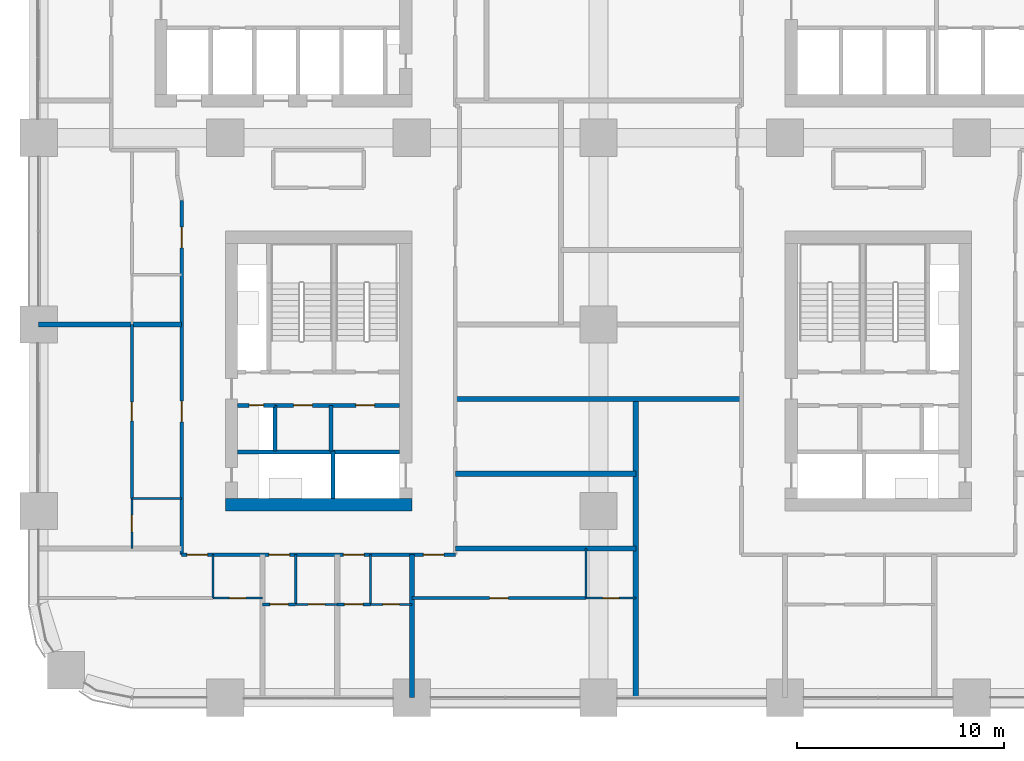
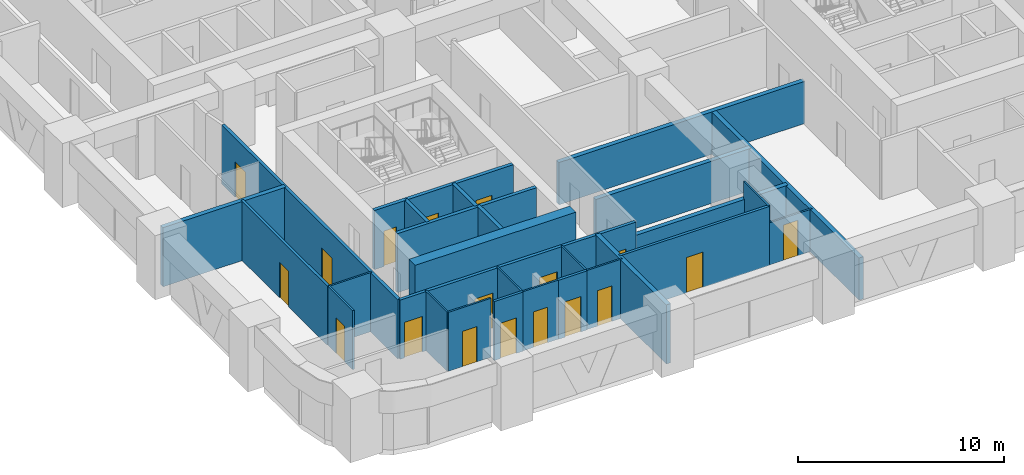
# One storey, part 13 of 21: 29 walls, 18 doors, 18 openings.
"""IFC4 building model written with IfcOpenShell, lengths in metres."""

import ifcopenshell
import ifcopenshell.guid

model = None  # the IFC model being written
_history = None  # IfcOwnerHistory: only IFC2X3 demands one
_inside = {}  # id of a spatial element -> (the spatial element, [elements in it])
_under = {}  # id of a project, library or spatial element -> (it, [spatial elements below it])
_declared = {}  # id of a project -> (the project, [libraries it declares])
_typed = {}  # id of a type object -> (the type object, [elements of that type])
_made_of = {}  # id of a material, layer set ... -> (it, [elements and type objects made of it])


def new_model(schema):
    """Start an empty IFC model of exactly this schema.

    Asked for "IFC4X3", IfcOpenShell would pick the latest addendum, in which some entities
    have other attributes; the version numbers below select the first issue.
    IFC2X3 requires an IfcOwnerHistory on every rooted entity: one is made here for all.
    """
    global model, _history
    if schema == "IFC4X3":
        model = ifcopenshell.file(schema_version=(4, 3, 0, 0))
    else:
        model = ifcopenshell.file(schema=schema)
    _inside.clear()
    _under.clear()
    _declared.clear()
    _typed.clear()
    _made_of.clear()
    _history = None
    if model.schema == "IFC2X3":
        org = make("IfcOrganization", Name="unknown")
        user = make(
            "IfcPersonAndOrganization",
            ThePerson=make("IfcPerson", FamilyName="unknown"),
            TheOrganization=org,
        )
        app = make(
            "IfcApplication",
            ApplicationDeveloper=org,
            Version="unknown",
            ApplicationFullName="unknown",
            ApplicationIdentifier="unknown",
        )
        _history = make(
            "IfcOwnerHistory",
            OwningUser=user,
            OwningApplication=app,
            ChangeAction="ADDED",
            CreationDate=0,
        )
    return model


def make(cls, **values):
    """One entity of the class cls with the attributes given. An attribute that is None is left unset."""
    return model.create_entity(
        cls, **{name: value for name, value in values.items() if value is not None}
    )


def rooted(cls, **values):
    """An entity with a GlobalId (a new one), such as an element, a storey or a relation."""
    return make(cls, GlobalId=ifcopenshell.guid.new(), OwnerHistory=_history, **values)


def si_unit(unit_type, name, prefix=None):
    """IfcSIUnit, for example si_unit("LENGTHUNIT", "METRE", prefix="MILLI")."""
    return make("IfcSIUnit", UnitType=unit_type, Prefix=prefix, Name=name)


def assignment(units):
    """IfcUnitAssignment: the units of a project."""
    return None if units is None else make("IfcUnitAssignment", Units=units)


def point(xyz):
    """IfcCartesianPoint."""
    return None if xyz is None else make("IfcCartesianPoint", Coordinates=xyz)


def direction(xyz):
    """IfcDirection."""
    return None if xyz is None else make("IfcDirection", DirectionRatios=xyz)


def frame(location, z_axis=None, x_axis=None):
    """IfcAxis2Placement3D, a coordinate frame: its origin and axes. An axis left out is left unset."""
    return make(
        "IfcAxis2Placement3D",
        Location=point(location),
        Axis=direction(z_axis),
        RefDirection=direction(x_axis),
    )


def frame_2d(location, x_axis=None):
    """IfcAxis2Placement2D, a coordinate frame in the plane: its origin and x axis."""
    return make(
        "IfcAxis2Placement2D", Location=point(location), RefDirection=direction(x_axis)
    )


def origin():
    """The frame at (0, 0, 0) with its axes left unset."""
    return frame((0.0, 0.0, 0.0))


def place(relative_to, where):
    """IfcLocalPlacement: puts the frame where relative to a parent placement (None: the world)."""
    return make(
        "IfcLocalPlacement", PlacementRelTo=relative_to, RelativePlacement=where
    )


def context(
    kind, dimensions, precision=None, world=None, true_north=None, identifier=None
):
    """IfcGeometricRepresentationContext, for example the 3D "Model" context."""
    return make(
        "IfcGeometricRepresentationContext",
        ContextIdentifier=identifier,
        ContextType=kind,
        CoordinateSpaceDimension=dimensions,
        Precision=precision,
        WorldCoordinateSystem=world,
        TrueNorth=true_north,
    )


def subcontext(parent, identifier, kind, view, scale=None):
    """IfcGeometricRepresentationSubContext, for example "Body" below "Model"."""
    return make(
        "IfcGeometricRepresentationSubContext",
        ContextIdentifier=identifier,
        ContextType=kind,
        ParentContext=parent,
        TargetScale=scale,
        TargetView=view,
    )


def project(units=None, contexts=None):
    """IfcProject with its units and contexts."""
    return rooted(
        "IfcProject",
        Name="project",
        RepresentationContexts=contexts,
        UnitsInContext=assignment(units),
    )


def spatial(cls, under=None, at=None, **own):
    """A site, building, storey or space (cls), placed at a placement, below another one or the project."""
    s = rooted(cls, ObjectPlacement=at, **own)
    if under is not None:
        _under.setdefault(under.id(), (under, []))[1].append(s)
    return s


def profile(cls, at=None, kind="AREA", **sizes):
    """A parametric profile (cls). Its sizes go by their IFC names, for example OverallWidth=200.0."""
    return make(cls, ProfileType=kind, Position=at, **sizes)


def rectangle(**sizes):
    """IfcRectangleProfileDef."""
    return profile("IfcRectangleProfileDef", **sizes)


def extrude(swept, where, along, depth):
    """IfcExtrudedAreaSolid: the profile swept, set in the frame where, extruded along a direction by depth."""
    return make(
        "IfcExtrudedAreaSolid",
        SweptArea=swept,
        Position=where,
        ExtrudedDirection=direction(along),
        Depth=depth,
    )


def shape(context_of_items, identifier, shape_type, items):
    """IfcShapeRepresentation: the items that make up one representation, for example the "Body"."""
    return make(
        "IfcShapeRepresentation",
        ContextOfItems=context_of_items,
        RepresentationIdentifier=identifier,
        RepresentationType=shape_type,
        Items=items,
    )


def material(Name=None, Category=None):
    """IfcMaterial."""
    return make("IfcMaterial", Name=Name, Category=Category)


def layer(
    of_material, thickness, ventilated=None, Name=None, Category=None, Priority=None
):
    """IfcMaterialLayer: one layer of a wall or slab, of a material (None: an air gap)."""
    return make(
        "IfcMaterialLayer",
        Material=of_material,
        LayerThickness=thickness,
        IsVentilated=ventilated,
        Name=Name,
        Category=Category,
        Priority=Priority,
    )


def layer_set(layers, Name=None):
    """IfcMaterialLayerSet."""
    return make("IfcMaterialLayerSet", MaterialLayers=layers, LayerSetName=Name)


def made_of(thing, what):
    """Note that an element or type object is made of a material, layer set ...; save() writes the relation."""
    if what is not None:
        _made_of.setdefault(what.id(), (what, []))[1].append(thing)
    return thing


def type_object(cls, material=None, **own):
    """A type object (cls), such as IfcWallType, which elements share."""
    return made_of(rooted(cls, **own), material)


def element(
    cls,
    number,
    at=None,
    inside=None,
    cuts=None,
    type_object=None,
    material=None,
    context=None,
    identifier="Body",
    shape_type=None,
    held_by="IfcProductDefinitionShape",
    body=None,
    shapes=None,
    **own,
):
    """One element of the class cls, such as IfcWall. Its Tag is "e" and its number.

    at: its placement. inside: the storey or other place that contains it. cuts: it is an
    opening in that element (IfcRelVoidsElement). A single representation is given by context,
    identifier, shape_type and body (its items); several are given by shapes. held_by: the class
    of the entity that holds the representations. save() writes the other relations.
    """
    e = rooted(cls, Tag="e%d" % number, ObjectPlacement=at, **own)
    if body is not None:
        shapes = [shape(context, identifier, shape_type, body)]
    if shapes is not None:
        e.Representation = make(held_by, Representations=shapes)
    if inside is not None:
        _inside.setdefault(inside.id(), (inside, []))[1].append(e)
    if cuts is not None:
        rooted(
            "IfcRelVoidsElement", RelatingBuildingElement=cuts, RelatedOpeningElement=e
        )
    if type_object is not None:
        _typed.setdefault(type_object.id(), (type_object, []))[1].append(e)
    return made_of(e, material)


def fill(opening, filler):
    """IfcRelFillsElement: the door or window that sits in an opening."""
    return rooted(
        "IfcRelFillsElement",
        RelatingOpeningElement=opening,
        RelatedBuildingElement=filler,
    )


def aggregate(whole, parts):
    """IfcRelAggregates: a whole, such as a stair, and the parts it consists of."""
    return rooted("IfcRelAggregates", RelatingObject=whole, RelatedObjects=parts)


def save(model, path):
    """Write the relations noted so far, then the file.

    IfcRelAggregates (storeys below a building ...), IfcRelContainedInSpatialStructure (elements
    in a storey), IfcRelDefinesByType, IfcRelAssociatesMaterial and IfcRelDeclares: one each for
    every whole, place, type object, material and project.
    """
    for whole, parts in _under.values():
        aggregate(whole, parts)
    for where, things in _inside.values():
        rooted(
            "IfcRelContainedInSpatialStructure",
            RelatedElements=things,
            RelatingStructure=where,
        )
    for kind, things in _typed.values():
        rooted("IfcRelDefinesByType", RelatedObjects=things, RelatingType=kind)
    for what, things in _made_of.values():
        rooted("IfcRelAssociatesMaterial", RelatedObjects=things, RelatingMaterial=what)
    for by, libraries in _declared.values():
        rooted("IfcRelDeclares", RelatingContext=by, RelatedDefinitions=libraries)
    model.write(path)


model = new_model("IFC4")

# Units and contexts
model_context = context("Model", 3, precision=1e-05, world=origin(), true_north=direction((0.0, 1.0)))
body_context = subcontext(model_context, "Body", "Model", "MODEL_VIEW")
ifc_project = project(units=[si_unit("LENGTHUNIT", "METRE"), si_unit("AREAUNIT", "SQUARE_METRE"), si_unit("VOLUMEUNIT", "CUBIC_METRE"), si_unit("PLANEANGLEUNIT", "RADIAN"), si_unit("MASSUNIT", "GRAM", prefix="KILO")], contexts=[model_context])

# Site, building, storey
site_placement = place(None, origin())
site = spatial("IfcSite", under=ifc_project, at=site_placement, CompositionType="ELEMENT")
building_placement = place(site_placement, origin())
building = spatial("IfcBuilding", under=site, at=building_placement, Name="Tessera Arch", CompositionType="ELEMENT")
storey_placement = place(building_placement, frame((0.0, 0.0, 69.0)))
storey = spatial("IfcBuildingStorey", under=building, at=storey_placement, Name="L15", CompositionType="ELEMENT", Elevation=69.0)

# Wall
ifc_material_1 = material(Name="Gypsum board on steel stud", Category="steel")
ifc_layer_1 = layer(ifc_material_1, 0.125)
ifc_layer_set_1 = layer_set([ifc_layer_1], Name="Core partition 125 EI 60")
wall_type_1 = type_object("IfcWallType", Name="Core partition 125 EI 60", PredefinedType="PARTITIONING", material=ifc_layer_set_1)
wall_1_placement = place(storey_placement, frame((14.10009765625, 11.89990234375, 0.0), z_axis=(0.0, 0.0, 1.0), x_axis=(0.0, 1.0, 0.0)))
element("IfcWall", 1, at=wall_1_placement, inside=storey, type_object=wall_type_1, Name="L15 C4 partition wall 4", PredefinedType="PARTITIONING", context=body_context, shape_type="SweptSolid", body=[
    extrude(rectangle(XDim=2.2001953125, YDim=0.199951171875, at=frame_2d((1.10009765625, 0.0))), origin(), (0.0, 0.0, 1.0), 3.5),
])

# Wall, openings, doors
wall_2_placement = place(storey_placement, frame((11.39990234375, 14.10009765625, 0.0), z_axis=(0.0, 0.0, 1.0), x_axis=(1.0, 0.0, 0.0)))
wall_2 = element("IfcWall", 2, at=wall_2_placement, inside=storey, type_object=wall_type_1, Name="L15 C4 partition wall 9", PredefinedType="PARTITIONING", context=body_context, shape_type="SweptSolid", body=[
    extrude(rectangle(XDim=6.0, YDim=0.199951171875, at=frame_2d((3.0, 0.0))), origin(), (0.0, 0.0, 1.0), 3.5),
])
opening_1_placement = place(wall_2_placement, frame((0.89990234375, 0.0, 0.0)))
opening_1 = element("IfcOpeningElement", 3, at=opening_1_placement, cuts=wall_2, Name="Opening L15-C48", PredefinedType="OPENING", context=body_context, shape_type="SweptSolid", body=[
    extrude(rectangle(XDim=0.89990234375, YDim=2.10009765625, at=frame_2d((0.449951171875, 1.050048828125))), frame((0.0, 0.10986328125, 0.0), z_axis=(0.0, -1.0, 0.0), x_axis=(1.0, 0.0, 0.0)), (0.0, 0.0, 1.0), 0.219970703125),
])
opening_2_placement = place(wall_2_placement, frame((3.89990234375, 0.0, 0.0)))
opening_2 = element("IfcOpeningElement", 4, at=opening_2_placement, cuts=wall_2, Name="Opening L15-C49", PredefinedType="OPENING", context=body_context, shape_type="SweptSolid", body=[
    extrude(rectangle(XDim=0.89990234375, YDim=2.10009765625, at=frame_2d((0.449951171875, 1.050048828125))), frame((0.0, 0.10986328125, 0.0), z_axis=(0.0, -1.0, 0.0), x_axis=(1.0, 0.0, 0.0)), (0.0, 0.0, 1.0), 0.219970703125),
])
ifc_material_2 = material(Name="Steel door leaf", Category="steel")
door_type_1 = type_object("IfcDoorType", Name="Store door FD30S 900 x 2100", OperationType="SINGLE_SWING_LEFT", PredefinedType="DOOR", material=ifc_material_2)
door_1_placement = place(opening_1_placement, origin())
door_1 = element("IfcDoor", 5, at=door_1_placement, inside=storey, type_object=door_type_1, Name="L15 C4 door 8 C48 type D09", OperationType="SINGLE_SWING_LEFT", OverallHeight=2.10009765625, OverallWidth=0.89990234375, PredefinedType="DOOR", context=body_context, shape_type="SweptSolid", body=[
    extrude(rectangle(XDim=0.89990234375, YDim=2.10009765625, at=frame_2d((0.449951171875, 1.050048828125))), frame((0.0, 0.02490234375, 0.0), z_axis=(0.0, -1.0, 0.0), x_axis=(1.0, 0.0, 0.0)), (0.0, 0.0, 1.0), 0.050048828125),
])
fill(opening_1, door_1)
door_2_placement = place(opening_2_placement, origin())
door_2 = element("IfcDoor", 6, at=door_2_placement, inside=storey, type_object=door_type_1, Name="L15 C4 door 9 C49 type D09", OperationType="SINGLE_SWING_RIGHT", OverallHeight=2.10009765625, OverallWidth=0.89990234375, PredefinedType="DOOR", context=body_context, shape_type="SweptSolid", body=[
    extrude(rectangle(XDim=0.89990234375, YDim=2.10009765625, at=frame_2d((0.449951171875, 1.050048828125))), frame((0.0, 0.02490234375, 0.0), z_axis=(0.0, -1.0, 0.0), x_axis=(1.0, 0.0, 0.0)), (0.0, 0.0, 1.0), 0.050048828125),
])
fill(opening_2, door_2)

# Wall
ifc_material_3 = material(Name="Concrete C70/85", Category="concrete")
ifc_layer_2 = layer(ifc_material_3, 0.60009765625)
ifc_layer_set_2 = layer_set([ifc_layer_2], Name="Core shell wall 600 C70-85")
wall_type_2 = type_object("IfcWallType", Name="Core shell wall 600 C70-85", PredefinedType="SHEAR", material=ifc_layer_set_2)
wall_3_placement = place(storey_placement, frame((9.0, 9.300048828125, 0.0), z_axis=(0.0, 0.0, 1.0), x_axis=(1.0, 0.0, 0.0)))
element("IfcWall", 7, at=wall_3_placement, inside=storey, type_object=wall_type_2, Name="L15 C4 core wall S", PredefinedType="SHEAR", context=body_context, shape_type="SweptSolid", body=[
    extrude(rectangle(XDim=9.0, YDim=0.60009765625, at=frame_2d((4.5, 0.0))), origin(), (0.0, 0.0, 1.0), 3.5),
])

# Wall, openings, doors
ifc_material_4 = material(Name="Gypsum board on deep steel stud with mineral wool", Category="steel")
ifc_layer_3 = layer(ifc_material_4, 0.175048828125)
ifc_layer_set_3 = layer_set([ifc_layer_3], Name="Corridor wall 175 EI 60")
wall_type_3 = type_object("IfcWallType", Name="Corridor wall 175 EI 60", PredefinedType="PARTITIONING", material=ifc_layer_set_3)
wall_4_placement = place(storey_placement, frame((6.89990234375, 6.89990234375, 0.0), z_axis=(0.0, 0.0, 1.0), x_axis=(1.0, 0.0, 0.0)))
wall_4 = element("IfcWall", 8, at=wall_4_placement, inside=storey, type_object=wall_type_3, Name="L15 partition 1", PredefinedType="PARTITIONING", context=body_context, shape_type="SweptSolid", body=[
    extrude(rectangle(XDim=13.2001953125, YDim=0.175048828125, at=frame_2d((6.60009765625, 0.0))), origin(), (0.0, 0.0, 1.0), 3.5),
])
opening_3_placement = place(wall_4_placement, frame((4.199951171875, 0.0, 0.0)))
opening_3 = element("IfcOpeningElement", 9, at=opening_3_placement, cuts=wall_4, Name="Opening L15-D001", PredefinedType="OPENING", context=body_context, shape_type="SweptSolid", body=[
    extrude(rectangle(XDim=1.0, YDim=2.10009765625, at=frame_2d((0.5, 1.050048828125))), frame((0.0, 0.097412109375, 0.0), z_axis=(0.0, -1.0, 0.0), x_axis=(1.0, 0.0, 0.0)), (0.0, 0.0, 1.0), 0.195068359375),
])
opening_4_placement = place(wall_4_placement, frame((7.800048828125, 0.0, 0.0)))
opening_4 = element("IfcOpeningElement", 10, at=opening_4_placement, cuts=wall_4, Name="Opening L15-D004", PredefinedType="OPENING", context=body_context, shape_type="SweptSolid", body=[
    extrude(rectangle(XDim=1.0, YDim=2.10009765625, at=frame_2d((0.5, 1.050048828125))), frame((0.0, 0.097412109375, 0.0), z_axis=(0.0, -1.0, 0.0), x_axis=(1.0, 0.0, 0.0)), (0.0, 0.0, 1.0), 0.195068359375),
])
opening_5_placement = place(wall_4_placement, frame((11.64990234375, 0.0, 0.0)))
opening_5 = element("IfcOpeningElement", 11, at=opening_5_placement, cuts=wall_4, Name="Opening L15-D010", PredefinedType="OPENING", context=body_context, shape_type="SweptSolid", body=[
    extrude(rectangle(XDim=1.0, YDim=2.10009765625, at=frame_2d((0.5, 1.050048828125))), frame((0.0, 0.097412109375, 0.0), z_axis=(0.0, -1.0, 0.0), x_axis=(1.0, 0.0, 0.0)), (0.0, 0.0, 1.0), 0.195068359375),
])
opening_6_placement = place(wall_4_placement, frame((0.25, 0.0, 0.0)))
opening_6 = element("IfcOpeningElement", 12, at=opening_6_placement, cuts=wall_4, Name="Opening L15-D013", PredefinedType="OPENING", context=body_context, shape_type="SweptSolid", body=[
    extrude(rectangle(XDim=1.0, YDim=2.10009765625, at=frame_2d((0.5, 1.050048828125))), frame((0.0, 0.097412109375, 0.0), z_axis=(0.0, -1.0, 0.0), x_axis=(1.0, 0.0, 0.0)), (0.0, 0.0, 1.0), 0.195068359375),
])
ifc_material_5 = material(Name="Fire-rated door leaf")
door_type_2 = type_object("IfcDoorType", Name="Entrance door FD30S 1000 x 2100", OperationType="SINGLE_SWING_LEFT", PredefinedType="DOOR", material=ifc_material_5)
door_3_placement = place(opening_3_placement, origin())
door_3 = element("IfcDoor", 13, at=door_3_placement, inside=storey, type_object=door_type_2, Name="L15 door D001 type D03", OperationType="SINGLE_SWING_RIGHT", OverallHeight=2.10009765625, OverallWidth=1.0, PredefinedType="DOOR", context=body_context, shape_type="SweptSolid", body=[
    extrude(rectangle(XDim=1.0, YDim=2.10009765625, at=frame_2d((0.5, 1.050048828125))), frame((0.0, 0.02490234375, 0.0), z_axis=(0.0, -1.0, 0.0), x_axis=(1.0, 0.0, 0.0)), (0.0, 0.0, 1.0), 0.050048828125),
])
fill(opening_3, door_3)
door_4_placement = place(opening_4_placement, origin())
door_4 = element("IfcDoor", 14, at=door_4_placement, inside=storey, type_object=door_type_2, Name="L15 door D004 type D03", OperationType="SINGLE_SWING_LEFT", OverallHeight=2.10009765625, OverallWidth=1.0, PredefinedType="DOOR", context=body_context, shape_type="SweptSolid", body=[
    extrude(rectangle(XDim=1.0, YDim=2.10009765625, at=frame_2d((0.5, 1.050048828125))), frame((0.0, 0.02490234375, 0.0), z_axis=(0.0, -1.0, 0.0), x_axis=(1.0, 0.0, 0.0)), (0.0, 0.0, 1.0), 0.050048828125),
])
fill(opening_4, door_4)
door_5_placement = place(opening_5_placement, origin())
door_5 = element("IfcDoor", 15, at=door_5_placement, inside=storey, type_object=door_type_2, Name="L15 door D010 type D03", OperationType="SINGLE_SWING_LEFT", OverallHeight=2.10009765625, OverallWidth=1.0, PredefinedType="DOOR", context=body_context, shape_type="SweptSolid", body=[
    extrude(rectangle(XDim=1.0, YDim=2.10009765625, at=frame_2d((0.5, 1.050048828125))), frame((0.0, 0.02490234375, 0.0), z_axis=(0.0, -1.0, 0.0), x_axis=(1.0, 0.0, 0.0)), (0.0, 0.0, 1.0), 0.050048828125),
])
fill(opening_5, door_5)
door_6_placement = place(opening_6_placement, origin())
door_6 = element("IfcDoor", 16, at=door_6_placement, inside=storey, type_object=door_type_2, Name="L15 door D013 type D03", OperationType="SINGLE_SWING_RIGHT", OverallHeight=2.10009765625, OverallWidth=1.0, PredefinedType="DOOR", context=body_context, shape_type="SweptSolid", body=[
    extrude(rectangle(XDim=1.0, YDim=2.10009765625, at=frame_2d((0.5, 1.050048828125))), frame((0.0, 0.02490234375, 0.0), z_axis=(0.0, -1.0, 0.0), x_axis=(1.0, 0.0, 0.0)), (0.0, 0.0, 1.0), 0.050048828125),
])
fill(opening_6, door_6)

wall_5_placement = place(storey_placement, frame((6.89990234375, 6.89990234375, 0.0), z_axis=(0.0, 0.0, 1.0), x_axis=(0.0, 1.0, 0.0)))
wall_5 = element("IfcWall", 17, at=wall_5_placement, inside=storey, type_object=wall_type_3, Name="L15 partition 17", PredefinedType="PARTITIONING", context=body_context, shape_type="SweptSolid", body=[
    extrude(rectangle(XDim=17.090087890625, YDim=0.175048828125, at=frame_2d((8.544921875, 0.0))), origin(), (0.0, 0.0, 1.0), 3.5),
])
opening_7_placement = place(wall_5_placement, frame((6.39990234375, 0.0, 0.0)))
opening_7 = element("IfcOpeningElement", 18, at=opening_7_placement, cuts=wall_5, Name="Opening L15-D019", PredefinedType="OPENING", context=body_context, shape_type="SweptSolid", body=[
    extrude(rectangle(XDim=1.0, YDim=2.10009765625, at=frame_2d((0.5, 1.050048828125))), frame((0.0, 0.097412109375, 0.0), z_axis=(0.0, -1.0, 0.0), x_axis=(1.0, 0.0, 0.0)), (0.0, 0.0, 1.0), 0.195068359375),
])
opening_8_placement = place(wall_5_placement, frame((14.794921875, 0.0, 0.0)))
opening_8 = element("IfcOpeningElement", 19, at=opening_8_placement, cuts=wall_5, Name="Opening L15-D028", PredefinedType="OPENING", context=body_context, shape_type="SweptSolid", body=[
    extrude(rectangle(XDim=1.0, YDim=2.10009765625, at=frame_2d((0.5, 1.050048828125))), frame((0.0, 0.097412109375, 0.0), z_axis=(0.0, -1.0, 0.0), x_axis=(1.0, 0.0, 0.0)), (0.0, 0.0, 1.0), 0.195068359375),
])
door_7_placement = place(opening_7_placement, origin())
door_7 = element("IfcDoor", 20, at=door_7_placement, inside=storey, type_object=door_type_2, Name="L15 door D019 type D03", OperationType="SINGLE_SWING_LEFT", OverallHeight=2.10009765625, OverallWidth=1.0, PredefinedType="DOOR", context=body_context, shape_type="SweptSolid", body=[
    extrude(rectangle(XDim=1.0, YDim=2.10009765625, at=frame_2d((0.5, 1.050048828125))), frame((0.0, 0.02490234375, 0.0), z_axis=(0.0, -1.0, 0.0), x_axis=(1.0, 0.0, 0.0)), (0.0, 0.0, 1.0), 0.050048828125),
])
fill(opening_7, door_7)
door_8_placement = place(opening_8_placement, origin())
door_8 = element("IfcDoor", 21, at=door_8_placement, inside=storey, type_object=door_type_2, Name="L15 door D028 type D03", OperationType="SINGLE_SWING_RIGHT", OverallHeight=2.10009765625, OverallWidth=1.0, PredefinedType="DOOR", context=body_context, shape_type="SweptSolid", body=[
    extrude(rectangle(XDim=1.0, YDim=2.10009765625, at=frame_2d((0.5, 1.050048828125))), frame((0.0, 0.02490234375, 0.0), z_axis=(0.0, -1.0, 0.0), x_axis=(1.0, 0.0, 0.0)), (0.0, 0.0, 1.0), 0.050048828125),
])
fill(opening_8, door_8)

# Wall, opening, door
ifc_material_6 = material(Name="Gypsum board on steel stud", Category="steel")
ifc_layer_4 = layer(ifc_material_6, 0.14990234375)
ifc_layer_set_4 = layer_set([ifc_layer_4], Name="Partition 150")
wall_type_4 = type_object("IfcWallType", Name="Partition 150", PredefinedType="PARTITIONING", material=ifc_layer_set_4)
wall_6_placement = place(storey_placement, frame((10.800048828125, 4.5, 0.0), z_axis=(0.0, 0.0, 1.0), x_axis=(1.0, 0.0, 0.0)))
wall_6 = element("IfcWall", 22, at=wall_6_placement, inside=storey, type_object=wall_type_4, Name="L15 partition 31", PredefinedType="PARTITIONING", context=body_context, shape_type="SweptSolid", body=[
    extrude(rectangle(XDim=1.599853515625, YDim=0.14990234375, at=frame_2d((0.7998046875, 0.0))), origin(), (0.0, 0.0, 1.0), 3.5),
])
opening_9_placement = place(wall_6_placement, frame((0.35009765625, 0.0, 0.0)))
opening_9 = element("IfcOpeningElement", 23, at=opening_9_placement, cuts=wall_6, Name="Opening L15-D002", PredefinedType="OPENING", context=body_context, shape_type="SweptSolid", body=[
    extrude(rectangle(XDim=0.89990234375, YDim=2.10009765625, at=frame_2d((0.449951171875, 1.050048828125))), frame((0.0, 0.0849609375, 0.0), z_axis=(0.0, -1.0, 0.0), x_axis=(1.0, 0.0, 0.0)), (0.0, 0.0, 1.0), 0.169921875),
])
ifc_material_7 = material(Name="Timber door leaf", Category="wood")
door_type_3 = type_object("IfcDoorType", Name="Room door 900 x 2100", OperationType="SINGLE_SWING_LEFT", PredefinedType="DOOR", material=ifc_material_7)
door_9_placement = place(opening_9_placement, origin())
door_9 = element("IfcDoor", 24, at=door_9_placement, inside=storey, type_object=door_type_3, Name="L15 door D002 type D01", OperationType="SINGLE_SWING_LEFT", OverallHeight=2.10009765625, OverallWidth=0.89990234375, PredefinedType="DOOR", context=body_context, shape_type="SweptSolid", body=[
    extrude(rectangle(XDim=0.89990234375, YDim=2.10009765625, at=frame_2d((0.449951171875, 1.050048828125))), frame((0.0, 0.02490234375, 0.0), z_axis=(0.0, -1.0, 0.0), x_axis=(1.0, 0.0, 0.0)), (0.0, 0.0, 1.0), 0.050048828125),
])
fill(opening_9, door_9)

wall_7_placement = place(storey_placement, frame((14.39990234375, 4.5, 0.0), z_axis=(0.0, 0.0, 1.0), x_axis=(1.0, 0.0, 0.0)))
wall_7 = element("IfcWall", 25, at=wall_7_placement, inside=storey, type_object=wall_type_4, Name="L15 partition 32", PredefinedType="PARTITIONING", context=body_context, shape_type="SweptSolid", body=[
    extrude(rectangle(XDim=1.60009765625, YDim=0.14990234375, at=frame_2d((0.800048828125, 0.0))), origin(), (0.0, 0.0, 1.0), 3.5),
])
opening_10_placement = place(wall_7_placement, frame((0.35009765625, 0.0, 0.0)))
opening_10 = element("IfcOpeningElement", 26, at=opening_10_placement, cuts=wall_7, Name="Opening L15-D005", PredefinedType="OPENING", context=body_context, shape_type="SweptSolid", body=[
    extrude(rectangle(XDim=0.89990234375, YDim=2.10009765625, at=frame_2d((0.449951171875, 1.050048828125))), frame((0.0, 0.0849609375, 0.0), z_axis=(0.0, -1.0, 0.0), x_axis=(1.0, 0.0, 0.0)), (0.0, 0.0, 1.0), 0.169921875),
])
door_10_placement = place(opening_10_placement, origin())
door_10 = element("IfcDoor", 27, at=door_10_placement, inside=storey, type_object=door_type_3, Name="L15 door D005 type D01", OperationType="SINGLE_SWING_RIGHT", OverallHeight=2.10009765625, OverallWidth=0.89990234375, PredefinedType="DOOR", context=body_context, shape_type="SweptSolid", body=[
    extrude(rectangle(XDim=0.89990234375, YDim=2.10009765625, at=frame_2d((0.449951171875, 1.050048828125))), frame((0.0, 0.02490234375, 0.0), z_axis=(0.0, -1.0, 0.0), x_axis=(1.0, 0.0, 0.0)), (0.0, 0.0, 1.0), 0.050048828125),
])
fill(opening_10, door_10)

wall_8_placement = place(storey_placement, frame((18.0, 4.800048828125, 0.0), z_axis=(0.0, 0.0, 1.0), x_axis=(1.0, 0.0, 0.0)))
wall_8 = element("IfcWall", 28, at=wall_8_placement, inside=storey, type_object=wall_type_4, Name="L15 partition 35", PredefinedType="PARTITIONING", context=body_context, shape_type="SweptSolid", body=[
    extrude(rectangle(XDim=8.39990234375, YDim=0.14990234375, at=frame_2d((4.199951171875, 0.0))), origin(), (0.0, 0.0, 1.0), 3.5),
])
opening_11_placement = place(wall_8_placement, frame((3.75, 0.0, 0.0)))
opening_11 = element("IfcOpeningElement", 29, at=opening_11_placement, cuts=wall_8, Name="Opening L15-D011", PredefinedType="OPENING", context=body_context, shape_type="SweptSolid", body=[
    extrude(rectangle(XDim=0.89990234375, YDim=2.10009765625, at=frame_2d((0.449951171875, 1.050048828125))), frame((0.0, 0.0849609375, 0.0), z_axis=(0.0, -1.0, 0.0), x_axis=(1.0, 0.0, 0.0)), (0.0, 0.0, 1.0), 0.169921875),
])
door_11_placement = place(opening_11_placement, origin())
door_11 = element("IfcDoor", 30, at=door_11_placement, inside=storey, type_object=door_type_3, Name="L15 door D011 type D01", OperationType="SINGLE_SWING_RIGHT", OverallHeight=2.10009765625, OverallWidth=0.89990234375, PredefinedType="DOOR", context=body_context, shape_type="SweptSolid", body=[
    extrude(rectangle(XDim=0.89990234375, YDim=2.10009765625, at=frame_2d((0.449951171875, 1.050048828125))), frame((0.0, 0.02490234375, 0.0), z_axis=(0.0, -1.0, 0.0), x_axis=(1.0, 0.0, 0.0)), (0.0, 0.0, 1.0), 0.050048828125),
])
fill(opening_11, door_11)

wall_9_placement = place(storey_placement, frame((4.5, 9.60009765625, 0.0), z_axis=(0.0, 0.0, 1.0), x_axis=(0.0, 1.0, 0.0)))
wall_9 = element("IfcWall", 31, at=wall_9_placement, inside=storey, type_object=wall_type_4, Name="L15 partition 36", PredefinedType="PARTITIONING", context=body_context, shape_type="SweptSolid", body=[
    extrude(rectangle(XDim=8.39990234375, YDim=0.14990234375, at=frame_2d((4.199951171875, 0.0))), origin(), (0.0, 0.0, 1.0), 3.5),
])
opening_12_placement = place(wall_9_placement, frame((3.75, 0.0, 0.0)))
opening_12 = element("IfcOpeningElement", 32, at=opening_12_placement, cuts=wall_9, Name="Opening L15-D020", PredefinedType="OPENING", context=body_context, shape_type="SweptSolid", body=[
    extrude(rectangle(XDim=0.89990234375, YDim=2.10009765625, at=frame_2d((0.449951171875, 1.050048828125))), frame((0.0, 0.0849609375, 0.0), z_axis=(0.0, -1.0, 0.0), x_axis=(1.0, 0.0, 0.0)), (0.0, 0.0, 1.0), 0.169921875),
])
door_12_placement = place(opening_12_placement, origin())
door_12 = element("IfcDoor", 33, at=door_12_placement, inside=storey, type_object=door_type_3, Name="L15 door D020 type D01", OperationType="SINGLE_SWING_RIGHT", OverallHeight=2.10009765625, OverallWidth=0.89990234375, PredefinedType="DOOR", context=body_context, shape_type="SweptSolid", body=[
    extrude(rectangle(XDim=0.89990234375, YDim=2.10009765625, at=frame_2d((0.449951171875, 1.050048828125))), frame((0.0, 0.02490234375, 0.0), z_axis=(0.0, -1.0, 0.0), x_axis=(1.0, 0.0, 0.0)), (0.0, 0.0, 1.0), 0.050048828125),
])
fill(opening_12, door_12)

# Walls
ifc_material_8 = material(Name="Double gypsum board on twin steel stud with acoustic mineral wool", Category="steel")
ifc_layer_5 = layer(ifc_material_8, 0.25)
ifc_layer_set_5 = layer_set([ifc_layer_5], Name="Party wall 250 EI 60")
wall_type_5 = type_object("IfcWallType", Name="Party wall 250 EI 60", PredefinedType="PARTITIONING", material=ifc_layer_set_5)
for number, where, z_axis, x_axis, name in (
    (34, (20.10009765625, 7.199951171875, 0.0), (0.0, 0.0, 1.0), (1.0, 0.0, 0.0), "L15 partition 40"),
    (35, (20.10009765625, 10.800048828125, 0.0), (0.0, 0.0, 1.0), (1.0, 0.0, 0.0), "L15 partition 41"),
):
    element("IfcWall", number, at=place(storey_placement, frame(where, z_axis=z_axis, x_axis=x_axis)), inside=storey, type_object=wall_type_5, Name=name, PredefinedType="PARTITIONING", context=body_context, shape_type="SweptSolid", body=[
        extrude(rectangle(XDim=8.699951171875, YDim=0.25, at=frame_2d((4.35009765625, 0.0))), origin(), (0.0, 0.0, 1.0), 2.5),
    ])
wall_10_placement = place(storey_placement, frame((20.10009765625, 14.39990234375, 0.0), z_axis=(0.0, 0.0, 1.0), x_axis=(1.0, 0.0, 0.0)))
element("IfcWall", 36, at=wall_10_placement, inside=storey, type_object=wall_type_5, Name="L15 partition 43", PredefinedType="PARTITIONING", context=body_context, shape_type="SweptSolid", body=[
    extrude(rectangle(XDim=13.7998046875, YDim=0.25, at=frame_2d((6.89990234375, 0.0))), origin(), (0.0, 0.0, 1.0), 2.5),
])
for number, where, z_axis, x_axis, name in (
    (37, (0.0, 18.0, 0.0), (0.0, 0.0, 1.0), (1.0, 0.0, 0.0), "L15 partition 44"),
    (38, (18.0, 0.0, 0.0), (0.0, 0.0, 1.0), (0.0, 1.0, 0.0), "L15 partition 59"),
):
    element("IfcWall", number, at=place(storey_placement, frame(where, z_axis=z_axis, x_axis=x_axis)), inside=storey, type_object=wall_type_5, Name=name, PredefinedType="PARTITIONING", context=body_context, shape_type="SweptSolid", body=[
        extrude(rectangle(XDim=6.89990234375, YDim=0.25, at=frame_2d((3.449951171875, 0.0))), origin(), (0.0, 0.0, 1.0), 3.5),
    ])
wall_11_placement = place(storey_placement, frame((28.800048828125, 0.0, 0.0), z_axis=(0.0, 0.0, 1.0), x_axis=(0.0, 1.0, 0.0)))
element("IfcWall", 39, at=wall_11_placement, inside=storey, type_object=wall_type_5, Name="L15 partition 64", PredefinedType="PARTITIONING", context=body_context, shape_type="SweptSolid", body=[
    extrude(rectangle(XDim=14.39990234375, YDim=0.25, at=frame_2d((7.199951171875, 0.0))), origin(), (0.0, 0.0, 1.0), 2.5),
])
ifc_material_9 = material(Name="Concrete C40/50", Category="concrete")
ifc_layer_6 = layer(ifc_material_9, 0.199951171875)
ifc_layer_set_6 = layer_set([ifc_layer_6], Name="Shaft wall 200 EI 120")
wall_type_6 = type_object("IfcWallType", Name="Shaft wall 200 EI 120", PredefinedType="SOLIDWALL", material=ifc_layer_set_6)
wall_12_placement = place(storey_placement, frame((11.39990234375, 11.89990234375, 0.0), z_axis=(0.0, 0.0, 1.0), x_axis=(0.0, 1.0, 0.0)))
element("IfcWall", 40, at=wall_12_placement, inside=storey, type_object=wall_type_6, Name="L15 C4 shaft wall 3", PredefinedType="SOLIDWALL", context=body_context, shape_type="SweptSolid", body=[
    extrude(rectangle(XDim=2.2001953125, YDim=0.199951171875, at=frame_2d((1.10009765625, 0.0))), origin(), (0.0, 0.0, 1.0), 3.5),
])
wall_13_placement = place(storey_placement, frame((14.199951171875, 9.60009765625, 0.0), z_axis=(0.0, 0.0, 1.0), x_axis=(0.0, 1.0, 0.0)))
element("IfcWall", 41, at=wall_13_placement, inside=storey, type_object=wall_type_6, Name="L15 C4 shaft wall 5", PredefinedType="SOLIDWALL", context=body_context, shape_type="SweptSolid", body=[
    extrude(rectangle(XDim=2.2998046875, YDim=0.199951171875, at=frame_2d((1.14990234375, 0.0))), origin(), (0.0, 0.0, 1.0), 3.5),
])
wall_14_placement = place(storey_placement, frame((9.60009765625, 11.85009765625, 0.0), z_axis=(0.0, 0.0, 1.0), x_axis=(1.0, 0.0, 0.0)))
element("IfcWall", 42, at=wall_14_placement, inside=storey, type_object=wall_type_6, Name="L15 C4 shaft wall 8", PredefinedType="SOLIDWALL", context=body_context, shape_type="SweptSolid", body=[
    extrude(rectangle(XDim=7.7998046875, YDim=0.199951171875, at=frame_2d((3.89990234375, 0.0))), origin(), (0.0, 0.0, 1.0), 3.5),
])

# Wall, opening, door
wall_15_placement = place(storey_placement, frame((9.60009765625, 14.10009765625, 0.0), z_axis=(0.0, 0.0, 1.0), x_axis=(1.0, 0.0, 0.0)))
wall_15 = element("IfcWall", 43, at=wall_15_placement, inside=storey, type_object=wall_type_6, Name="L15 C4 shaft wall 10", PredefinedType="SOLIDWALL", context=body_context, shape_type="SweptSolid", body=[
    extrude(rectangle(XDim=1.7998046875, YDim=0.199951171875, at=frame_2d((0.89990234375, 0.0))), origin(), (0.0, 0.0, 1.0), 3.5),
])
opening_13_placement = place(wall_15_placement, frame((0.550048828125, 0.0, 0.0)))
opening_13 = element("IfcOpeningElement", 44, at=opening_13_placement, cuts=wall_15, Name="Opening L15-C45", PredefinedType="OPENING", context=body_context, shape_type="SweptSolid", body=[
    extrude(rectangle(XDim=0.699951171875, YDim=2.10009765625, at=frame_2d((0.35009765625, 1.050048828125))), frame((0.0, 0.10986328125, 0.0), z_axis=(0.0, -1.0, 0.0), x_axis=(1.0, 0.0, 0.0)), (0.0, 0.0, 1.0), 0.219970703125),
])
ifc_material_10 = material(Name="Steel door leaf", Category="steel")
door_type_4 = type_object("IfcDoorType", Name="Service shaft door FD60 700 x 2100", OperationType="SINGLE_SWING_LEFT", PredefinedType="DOOR", material=ifc_material_10)
door_13_placement = place(opening_13_placement, origin())
door_13 = element("IfcDoor", 45, at=door_13_placement, inside=storey, type_object=door_type_4, Name="L15 C4 door 5 C45 type D07", OperationType="SINGLE_SWING_LEFT", OverallHeight=2.10009765625, OverallWidth=0.699951171875, PredefinedType="DOOR", context=body_context, shape_type="SweptSolid", body=[
    extrude(rectangle(XDim=0.699951171875, YDim=2.10009765625, at=frame_2d((0.35009765625, 1.050048828125))), frame((0.0, 0.02490234375, 0.0), z_axis=(0.0, -1.0, 0.0), x_axis=(1.0, 0.0, 0.0)), (0.0, 0.0, 1.0), 0.050048828125),
])
fill(opening_13, door_13)

ifc_material_11 = material(Name="Moisture-resistant board on pre-plumbed steel stud", Category="steel")
ifc_layer_7 = layer(ifc_material_11, 0.10009765625)
ifc_layer_set_7 = layer_set([ifc_layer_7], Name="Wet wall 100")
wall_type_7 = type_object("IfcWallType", Name="Wet wall 100", PredefinedType="PARTITIONING", material=ifc_layer_set_7)
wall_16_placement = place(storey_placement, frame((12.39990234375, 4.5, 0.0), z_axis=(0.0, 0.0, 1.0), x_axis=(1.0, 0.0, 0.0)))
wall_16 = element("IfcWall", 46, at=wall_16_placement, inside=storey, type_object=wall_type_7, Name="L15 partition 70", PredefinedType="PARTITIONING", context=body_context, shape_type="SweptSolid", body=[
    extrude(rectangle(XDim=2.0, YDim=0.10009765625, at=frame_2d((1.0, 0.0))), origin(), (0.0, 0.0, 1.0), 3.5),
])
opening_14_placement = place(wall_16_placement, frame((0.60009765625, 0.0, 0.0)))
opening_14 = element("IfcOpeningElement", 47, at=opening_14_placement, cuts=wall_16, Name="Opening L15-D003", PredefinedType="OPENING", context=body_context, shape_type="SweptSolid", body=[
    extrude(rectangle(XDim=0.800048828125, YDim=2.10009765625, at=frame_2d((0.39990234375, 1.050048828125))), frame((0.0, 0.06005859375, 0.0), z_axis=(0.0, -1.0, 0.0), x_axis=(1.0, 0.0, 0.0)), (0.0, 0.0, 1.0), 0.1201171875),
])
ifc_material_12 = material(Name="Timber door leaf", Category="wood")
door_type_5 = type_object("IfcDoorType", Name="En-suite door 800 x 2100", OperationType="SINGLE_SWING_LEFT", PredefinedType="DOOR", material=ifc_material_12)
door_14_placement = place(opening_14_placement, origin())
door_14 = element("IfcDoor", 48, at=door_14_placement, inside=storey, type_object=door_type_5, Name="L15 door D003 type D02", OperationType="SINGLE_SWING_RIGHT", OverallHeight=2.10009765625, OverallWidth=0.800048828125, PredefinedType="DOOR", context=body_context, shape_type="SweptSolid", body=[
    extrude(rectangle(XDim=0.800048828125, YDim=2.10009765625, at=frame_2d((0.39990234375, 1.050048828125))), frame((0.0, 0.02490234375, 0.0), z_axis=(0.0, -1.0, 0.0), x_axis=(1.0, 0.0, 0.0)), (0.0, 0.0, 1.0), 0.050048828125),
])
fill(opening_14, door_14)

wall_17_placement = place(storey_placement, frame((16.0, 4.5, 0.0), z_axis=(0.0, 0.0, 1.0), x_axis=(1.0, 0.0, 0.0)))
wall_17 = element("IfcWall", 49, at=wall_17_placement, inside=storey, type_object=wall_type_7, Name="L15 partition 71", PredefinedType="PARTITIONING", context=body_context, shape_type="SweptSolid", body=[
    extrude(rectangle(XDim=2.0, YDim=0.10009765625, at=frame_2d((1.0, 0.0))), origin(), (0.0, 0.0, 1.0), 3.5),
])
opening_15_placement = place(wall_17_placement, frame((0.60009765625, 0.0, 0.0)))
opening_15 = element("IfcOpeningElement", 50, at=opening_15_placement, cuts=wall_17, Name="Opening L15-D006", PredefinedType="OPENING", context=body_context, shape_type="SweptSolid", body=[
    extrude(rectangle(XDim=0.800048828125, YDim=2.10009765625, at=frame_2d((0.39990234375, 1.050048828125))), frame((0.0, 0.06005859375, 0.0), z_axis=(0.0, -1.0, 0.0), x_axis=(1.0, 0.0, 0.0)), (0.0, 0.0, 1.0), 0.1201171875),
])
door_15_placement = place(opening_15_placement, origin())
door_15 = element("IfcDoor", 51, at=door_15_placement, inside=storey, type_object=door_type_5, Name="L15 door D006 type D02", OperationType="SINGLE_SWING_LEFT", OverallHeight=2.10009765625, OverallWidth=0.800048828125, PredefinedType="DOOR", context=body_context, shape_type="SweptSolid", body=[
    extrude(rectangle(XDim=0.800048828125, YDim=2.10009765625, at=frame_2d((0.39990234375, 1.050048828125))), frame((0.0, 0.02490234375, 0.0), z_axis=(0.0, -1.0, 0.0), x_axis=(1.0, 0.0, 0.0)), (0.0, 0.0, 1.0), 0.050048828125),
])
fill(opening_15, door_15)

wall_18_placement = place(storey_placement, frame((8.39990234375, 4.800048828125, 0.0), z_axis=(0.0, 0.0, 1.0), x_axis=(1.0, 0.0, 0.0)))
wall_18 = element("IfcWall", 52, at=wall_18_placement, inside=storey, type_object=wall_type_7, Name="L15 partition 73", PredefinedType="PARTITIONING", context=body_context, shape_type="SweptSolid", body=[
    extrude(rectangle(XDim=2.400146484375, YDim=0.10009765625, at=frame_2d((1.2001953125, 0.0))), origin(), (0.0, 0.0, 1.0), 3.5),
])
opening_16_placement = place(wall_18_placement, frame((0.800048828125, 0.0, 0.0)))
opening_16 = element("IfcOpeningElement", 53, at=opening_16_placement, cuts=wall_18, Name="Opening L15-D015", PredefinedType="OPENING", context=body_context, shape_type="SweptSolid", body=[
    extrude(rectangle(XDim=0.800048828125, YDim=2.10009765625, at=frame_2d((0.39990234375, 1.050048828125))), frame((0.0, 0.06005859375, 0.0), z_axis=(0.0, -1.0, 0.0), x_axis=(1.0, 0.0, 0.0)), (0.0, 0.0, 1.0), 0.1201171875),
])
door_16_placement = place(opening_16_placement, origin())
door_16 = element("IfcDoor", 54, at=door_16_placement, inside=storey, type_object=door_type_5, Name="L15 door D015 type D02", OperationType="SINGLE_SWING_RIGHT", OverallHeight=2.10009765625, OverallWidth=0.800048828125, PredefinedType="DOOR", context=body_context, shape_type="SweptSolid", body=[
    extrude(rectangle(XDim=0.800048828125, YDim=2.10009765625, at=frame_2d((0.39990234375, 1.050048828125))), frame((0.0, 0.02490234375, 0.0), z_axis=(0.0, -1.0, 0.0), x_axis=(1.0, 0.0, 0.0)), (0.0, 0.0, 1.0), 0.050048828125),
])
fill(opening_16, door_16)

wall_19_placement = place(storey_placement, frame((26.39990234375, 4.800048828125, 0.0), z_axis=(0.0, 0.0, 1.0), x_axis=(1.0, 0.0, 0.0)))
wall_19 = element("IfcWall", 55, at=wall_19_placement, inside=storey, type_object=wall_type_7, Name="L15 partition 74", PredefinedType="PARTITIONING", context=body_context, shape_type="SweptSolid", body=[
    extrude(rectangle(XDim=2.400146484375, YDim=0.10009765625, at=frame_2d((1.2001953125, 0.0))), origin(), (0.0, 0.0, 1.0), 2.5),
])
opening_17_placement = place(wall_19_placement, frame((0.800048828125, 0.0, 0.0)))
opening_17 = element("IfcOpeningElement", 56, at=opening_17_placement, cuts=wall_19, Name="Opening L15-D012", PredefinedType="OPENING", context=body_context, shape_type="SweptSolid", body=[
    extrude(rectangle(XDim=0.800048828125, YDim=2.10009765625, at=frame_2d((0.39990234375, 1.050048828125))), frame((0.0, 0.06005859375, 0.0), z_axis=(0.0, -1.0, 0.0), x_axis=(1.0, 0.0, 0.0)), (0.0, 0.0, 1.0), 0.1201171875),
])
door_17_placement = place(opening_17_placement, origin())
door_17 = element("IfcDoor", 57, at=door_17_placement, inside=storey, type_object=door_type_5, Name="L15 door D012 type D02", OperationType="SINGLE_SWING_LEFT", OverallHeight=2.10009765625, OverallWidth=0.800048828125, PredefinedType="DOOR", context=body_context, shape_type="SweptSolid", body=[
    extrude(rectangle(XDim=0.800048828125, YDim=2.10009765625, at=frame_2d((0.39990234375, 1.050048828125))), frame((0.0, 0.02490234375, 0.0), z_axis=(0.0, -1.0, 0.0), x_axis=(1.0, 0.0, 0.0)), (0.0, 0.0, 1.0), 0.050048828125),
])
fill(opening_17, door_17)

# Wall
wall_20_placement = place(storey_placement, frame((4.5, 9.60009765625, 0.0), z_axis=(0.0, 0.0, 1.0), x_axis=(1.0, 0.0, 0.0)))
element("IfcWall", 58, at=wall_20_placement, inside=storey, type_object=wall_type_7, Name="L15 partition 75", PredefinedType="PARTITIONING", context=body_context, shape_type="SweptSolid", body=[
    extrude(rectangle(XDim=2.39990234375, YDim=0.10009765625, at=frame_2d((1.199951171875, 0.0))), origin(), (0.0, 0.0, 1.0), 3.5),
])

# Wall, opening, door
wall_21_placement = place(storey_placement, frame((4.5, 7.199951171875, 0.0), z_axis=(0.0, 0.0, 1.0), x_axis=(0.0, 1.0, 0.0)))
wall_21 = element("IfcWall", 59, at=wall_21_placement, inside=storey, type_object=wall_type_7, Name="L15 partition 78", PredefinedType="PARTITIONING", context=body_context, shape_type="SweptSolid", body=[
    extrude(rectangle(XDim=2.400146484375, YDim=0.10009765625, at=frame_2d((1.2001953125, 0.0))), origin(), (0.0, 0.0, 1.0), 3.5),
])
opening_18_placement = place(wall_21_placement, frame((0.800048828125, 0.0, 0.0)))
opening_18 = element("IfcOpeningElement", 60, at=opening_18_placement, cuts=wall_21, Name="Opening L15-D021", PredefinedType="OPENING", context=body_context, shape_type="SweptSolid", body=[
    extrude(rectangle(XDim=0.800048828125, YDim=2.10009765625, at=frame_2d((0.39990234375, 1.050048828125))), frame((0.0, 0.06005859375, 0.0), z_axis=(0.0, -1.0, 0.0), x_axis=(1.0, 0.0, 0.0)), (0.0, 0.0, 1.0), 0.1201171875),
])
door_18_placement = place(opening_18_placement, origin())
door_18 = element("IfcDoor", 61, at=door_18_placement, inside=storey, type_object=door_type_5, Name="L15 door D021 type D02", OperationType="SINGLE_SWING_LEFT", OverallHeight=2.10009765625, OverallWidth=0.800048828125, PredefinedType="DOOR", context=body_context, shape_type="SweptSolid", body=[
    extrude(rectangle(XDim=0.800048828125, YDim=2.10009765625, at=frame_2d((0.39990234375, 1.050048828125))), frame((0.0, 0.02490234375, 0.0), z_axis=(0.0, -1.0, 0.0), x_axis=(1.0, 0.0, 0.0)), (0.0, 0.0, 1.0), 0.050048828125),
])
fill(opening_18, door_18)

# Walls
wall_22_placement = place(storey_placement, frame((8.39990234375, 4.800048828125, 0.0), z_axis=(0.0, 0.0, 1.0), x_axis=(0.0, 1.0, 0.0)))
element("IfcWall", 62, at=wall_22_placement, inside=storey, type_object=wall_type_7, Name="L15 partition 80", PredefinedType="PARTITIONING", context=body_context, shape_type="SweptSolid", body=[
    extrude(rectangle(XDim=2.099853515625, YDim=0.10009765625, at=frame_2d((1.0498046875, 0.0))), origin(), (0.0, 0.0, 1.0), 3.5),
])
for number, where, z_axis, x_axis, name in (
    (63, (12.39990234375, 4.5, 0.0), (0.0, 0.0, 1.0), (0.0, 1.0, 0.0), "L15 partition 81"),
    (64, (16.0, 4.5, 0.0), (0.0, 0.0, 1.0), (0.0, 1.0, 0.0), "L15 partition 82"),
    (65, (26.39990234375, 4.800048828125, 0.0), (0.0, 0.0, 1.0), (0.0, 1.0, 0.0), "L15 partition 83"),
):
    element("IfcWall", number, at=place(storey_placement, frame(where, z_axis=z_axis, x_axis=x_axis)), inside=storey, type_object=wall_type_7, Name=name, PredefinedType="PARTITIONING", context=body_context, shape_type="SweptSolid", body=[
        extrude(rectangle(XDim=2.39990234375, YDim=0.10009765625, at=frame_2d((1.199951171875, 0.0))), origin(), (0.0, 0.0, 1.0), 3.5),
    ])

save(model, "model.ifc")
